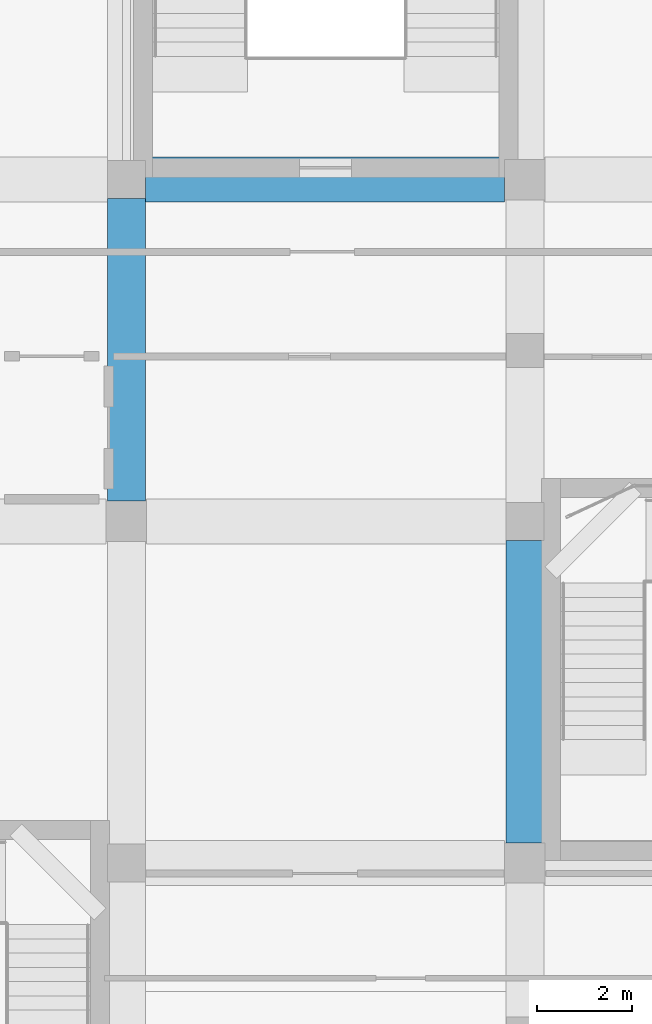
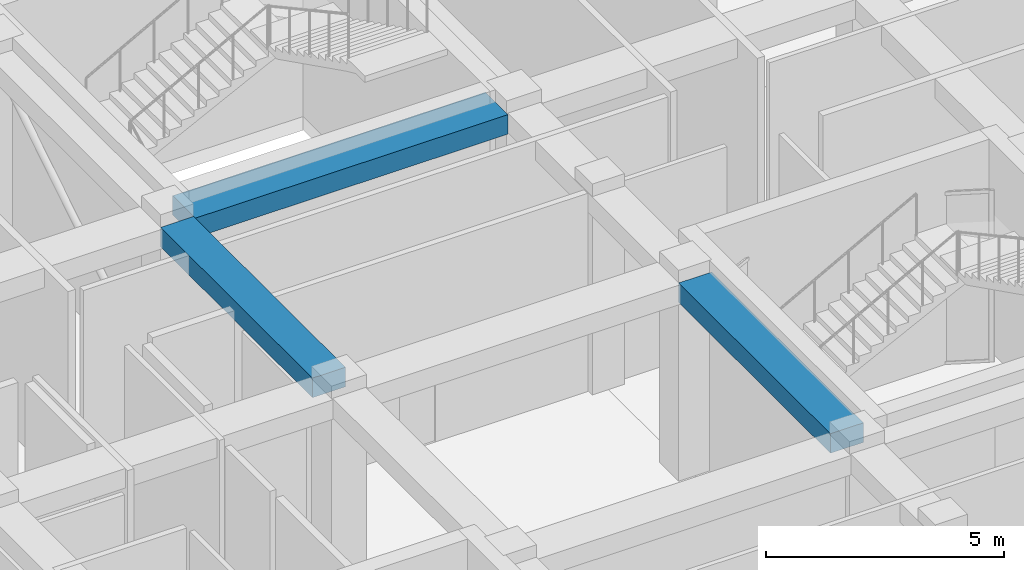
# One storey, part 4 of 84: 3 beams.
"""IFC4 building model written with IfcOpenShell, lengths in metres."""

from ifc_helpers import new_model, si_unit, derived_unit, direction, frame, origin, origin_2d, place, context, subcontext, project, spatial, rectangle, extrude, material, material_profile, profile_set, type_object, element, save


model = new_model("IFC4")

# Units and contexts
model_context = context("Model", 3, precision=1e-05, world=origin(), true_north=direction((0.0, 1.0)))
body_context = subcontext(model_context, "Body", "Model", "MODEL_VIEW")
ifc_project = project(units=[si_unit("LENGTHUNIT", "METRE"), si_unit("AREAUNIT", "SQUARE_METRE"), si_unit("VOLUMEUNIT", "CUBIC_METRE"), si_unit("PLANEANGLEUNIT", "RADIAN"), si_unit("MASSUNIT", "GRAM", prefix="KILO"), derived_unit("THERMALTRANSMITTANCEUNIT", [(si_unit("POWERUNIT", "WATT"), 1), (si_unit("LENGTHUNIT", "METRE"), -2), (si_unit("THERMODYNAMICTEMPERATUREUNIT", "KELVIN"), -1)])], contexts=[model_context])

# Site, building, storey
site_placement = place(None, origin())
site = spatial("IfcSite", under=ifc_project, at=site_placement, CompositionType="ELEMENT")
building_placement = place(site_placement, origin())
building = spatial("IfcBuilding", under=site, at=building_placement, Name="Veybourne Emporium", CompositionType="ELEMENT")
storey_placement = place(building_placement, origin())
storey = spatial("IfcBuildingStorey", under=building, at=storey_placement, Name="L00", CompositionType="ELEMENT", Elevation=0.0)

# Beams
ifc_material = material(Name="Concrete C32/40", Category="concrete")
ifc_material_profile_1 = material_profile(ifc_material, rectangle(XDim=0.949951171875, YDim=0.5, at=origin_2d()), Name="RC 950x500")
ifc_profile_set_1 = profile_set([ifc_material_profile_1], Name="Concrete C32/40")
beam_type_1 = type_object("IfcBeamType", Name="RCBeam_BB-01", PredefinedType="BEAM", material=ifc_profile_set_1)
beam_placement = place(storey_placement, frame((42.39990234375, 28.800048828125, 4.830078125), z_axis=(1.0, 0.0, 0.0), x_axis=(0.0, 1.0, 0.0)))
element("IfcBeam", 1, at=beam_placement, inside=storey, type_object=beam_type_1, Name="L00 X-grid beam BB-01 (5,4)", PredefinedType="BEAM", context=body_context, shape_type="SweptSolid", body=[
    extrude(rectangle(XDim=0.949951171875, YDim=0.5, at=origin_2d()), origin(), (0.0, 0.0, 1.0), 7.5751953125),
])
ifc_material_profile_2 = material_profile(ifc_material, rectangle(XDim=0.800048828125, YDim=0.5, at=origin_2d()), Name="RC 800x500")
ifc_profile_set_2 = profile_set([ifc_material_profile_2], Name="Concrete C32/40")
beam_type_2 = type_object("IfcBeamType", Name="RCBeam_BB-02", PredefinedType="BEAM", material=ifc_profile_set_2)
for number, where, z_axis, x_axis, name in (
    (2, (42.0, 22.02490234375, 4.830078125), (0.0, 1.0, 0.0), (-1.0, 0.0, 0.0), "L00 Y-grid beam BB-02 (5,3)"),
    (3, (50.39990234375, 14.824951171875, 4.830078125), (0.0, 1.0, 0.0), (-1.0, 0.0, 0.0), "L00 Y-grid beam BB-02 (6,2)"),
):
    element("IfcBeam", number, at=place(storey_placement, frame(where, z_axis=z_axis, x_axis=x_axis)), inside=storey, type_object=beam_type_2, Name=name, PredefinedType="BEAM", context=body_context, shape_type="SweptSolid", body=[
        extrude(rectangle(XDim=0.800048828125, YDim=0.5, at=origin_2d()), origin(), (0.0, 0.0, 1.0), 6.375),
    ])

save(model, "model.ifc")
